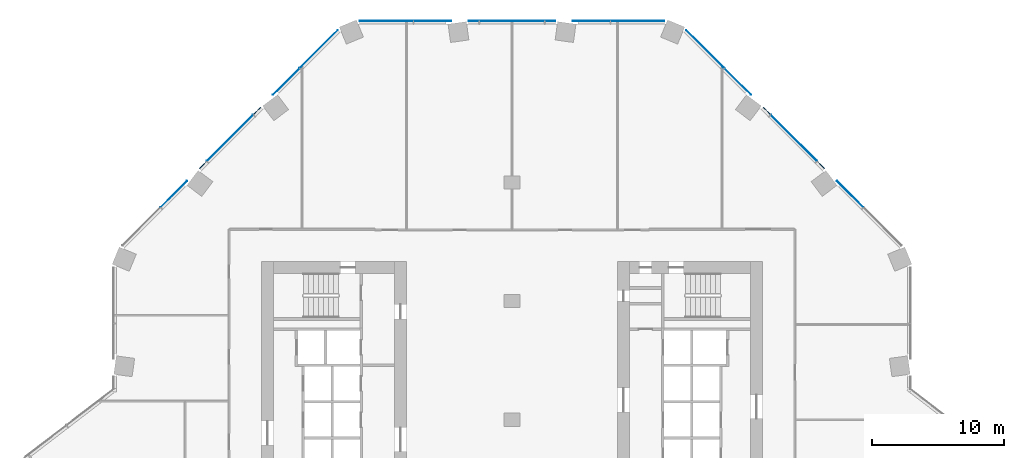
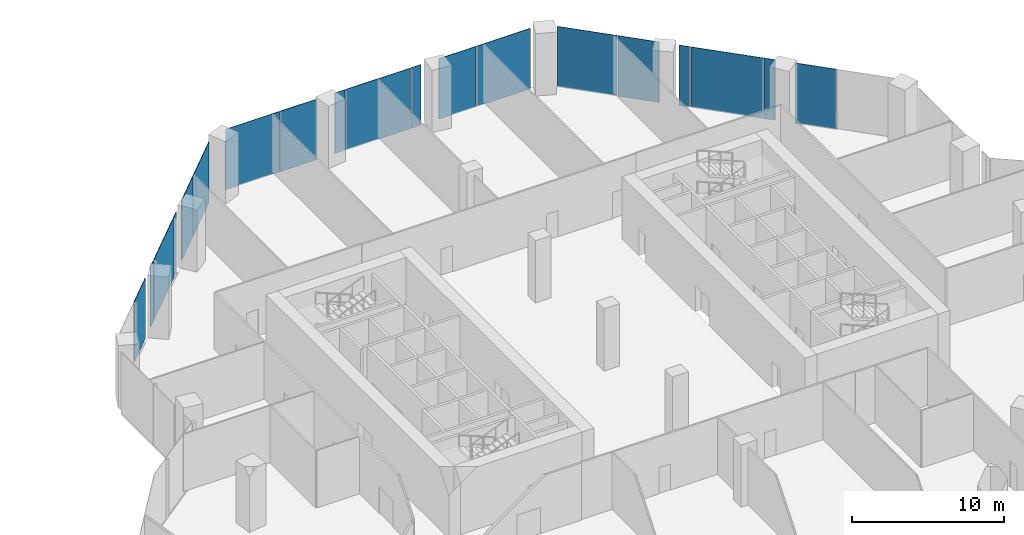
# One storey, part 20 of 29: 19 plates, 3 elements without a shape of their own.
"""IFC4 building model written with IfcOpenShell, lengths in metres."""

from ifc_helpers import new_model, si_unit, direction, frame, origin, origin_2d, place, context, subcontext, project, spatial, rectangle, extrude, material, layer, layer_set, type_object, element, aggregate, save


model = new_model("IFC4")

# Units and contexts
model_context = context("Model", 3, precision=1e-05, world=origin(), true_north=direction((0.0, 1.0)))
body_context = subcontext(model_context, "Body", "Model", "MODEL_VIEW")
ifc_project = project(units=[si_unit("LENGTHUNIT", "METRE"), si_unit("AREAUNIT", "SQUARE_METRE"), si_unit("VOLUMEUNIT", "CUBIC_METRE"), si_unit("PLANEANGLEUNIT", "RADIAN"), si_unit("MASSUNIT", "GRAM", prefix="KILO")], contexts=[model_context])

# Site, building, storey
site_placement = place(None, origin())
site = spatial("IfcSite", under=ifc_project, at=site_placement, CompositionType="ELEMENT")
building_placement = place(site_placement, origin())
building = spatial("IfcBuilding", under=site, at=building_placement, Name="Orlundy Tower", CompositionType="ELEMENT")
storey_placement = place(building_placement, frame((0.0, 0.0, 15.5)))
storey = spatial("IfcBuildingStorey", under=building, at=storey_placement, Name="L02", CompositionType="ELEMENT", Elevation=15.5)

# Curtain wall, plates
ifc_material_1 = material(Name="Aluminium bronze anodised", Category="aluminium")
curtain_wall_type = type_object("IfcCurtainWallType", Name="CW2 wall", PredefinedType="NOTDEFINED", material=ifc_material_1)
curtain_wall_1_placement = place(storey_placement, origin())
curtain_wall_1 = element("IfcCurtainWall", 1, at=curtain_wall_1_placement, inside=storey, type_object=curtain_wall_type, Name="CW2 run 014", PredefinedType="NOTDEFINED")
ifc_material_2 = material(Name="Tinted glass", Category="glass")
ifc_layer = layer(ifc_material_2, 0.0380859375)
ifc_layer_set = layer_set([ifc_layer], Name="CW2 glass panel 38")
plate_type = type_object("IfcPlateType", Name="CW2 glass panel 38", PredefinedType="CURTAIN_PANEL", material=ifc_layer_set)
plate_1_placement = place(storey_placement, frame((-25.63818359375, 17.114501953125, -0.25), z_axis=(0.0, 0.0, 1.0), x_axis=(0.707106781187, 0.707106781187, 0.0)))
plate_1 = element("IfcPlate", 2, at=plate_1_placement, type_object=plate_type, Name="CW2 panel", PredefinedType="CURTAIN_PANEL", context=body_context, shape_type="SweptSolid", body=[
    extrude(rectangle(XDim=2.807861328125, YDim=0.0380859375, at=origin_2d()), origin(), (0.0, 0.0, 1.0), 4.85009765625),
])
plate_2_placement = place(storey_placement, frame((-23.418212890625, 19.33447265625, -0.25), z_axis=(0.0, 0.0, 1.0), x_axis=(0.707106781187, 0.707106781187, 0.0)))
plate_2 = element("IfcPlate", 3, at=plate_2_placement, type_object=plate_type, Name="CW2 panel", PredefinedType="CURTAIN_PANEL", context=body_context, shape_type="SweptSolid", body=[
    extrude(rectangle(XDim=0.754638671875, YDim=0.0380859375, at=origin_2d()), origin(), (0.0, 0.0, 1.0), 4.85009765625),
])
plate_3_placement = place(storey_placement, frame((-21.376220703125, 21.376220703125, -0.25), z_axis=(0.0, 0.0, 1.0), x_axis=(0.707106781187, 0.707106781187, 0.0)))
plate_3 = element("IfcPlate", 4, at=plate_3_placement, type_object=plate_type, Name="CW2 panel", PredefinedType="CURTAIN_PANEL", context=body_context, shape_type="SweptSolid", body=[
    extrude(rectangle(XDim=4.920654296875, YDim=0.0380859375, at=origin_2d()), origin(), (0.0, 0.0, 1.0), 4.85009765625),
])
plate_4_placement = place(storey_placement, frame((-19.33447265625, 23.418212890625, -0.25), z_axis=(0.0, 0.0, 1.0), x_axis=(0.707106781187, 0.707106781187, 0.0)))
plate_4 = element("IfcPlate", 5, at=plate_4_placement, type_object=plate_type, Name="CW2 panel", PredefinedType="CURTAIN_PANEL", context=body_context, shape_type="SweptSolid", body=[
    extrude(rectangle(XDim=0.754638671875, YDim=0.0380859375, at=origin_2d()), origin(), (0.0, 0.0, 1.0), 4.85009765625),
])
plate_5_placement = place(storey_placement, frame((-17.114501953125, 25.63818359375, -0.25), z_axis=(0.0, 0.0, 1.0), x_axis=(0.707106781187, 0.707106781187, 0.0)))
plate_5 = element("IfcPlate", 6, at=plate_5_placement, type_object=plate_type, Name="CW2 panel", PredefinedType="CURTAIN_PANEL", context=body_context, shape_type="SweptSolid", body=[
    extrude(rectangle(XDim=2.807861328125, YDim=0.0380859375, at=origin_2d()), origin(), (0.0, 0.0, 1.0), 4.85009765625),
])
plate_6_placement = place(storey_placement, frame((-14.648681640625, 28.10400390625, -0.25), z_axis=(0.0, 0.0, 1.0), x_axis=(0.707106781187, 0.707106781187, 0.0)))
plate_6 = element("IfcPlate", 7, at=plate_6_placement, type_object=plate_type, Name="CW2 panel", PredefinedType="CURTAIN_PANEL", context=body_context, shape_type="SweptSolid", body=[
    extrude(rectangle(XDim=4.066650390625, YDim=0.0380859375, at=origin_2d()), origin(), (0.0, 0.0, 1.0), 4.85009765625),
])
aggregate(curtain_wall_1, [plate_1, plate_2, plate_3, plate_4, plate_5, plate_6])

curtain_wall_2_placement = place(storey_placement, origin())
curtain_wall_2 = element("IfcCurtainWall", 8, at=curtain_wall_2_placement, inside=storey, type_object=curtain_wall_type, Name="CW2 run 015", PredefinedType="NOTDEFINED")
plate_7_placement = place(storey_placement, frame((-9.514404296875, 30.23095703125, -0.25), z_axis=(0.0, 0.0, 1.0), x_axis=(1.0, 0.0, 0.0)))
plate_7 = element("IfcPlate", 9, at=plate_7_placement, type_object=plate_type, Name="CW2 panel", PredefinedType="CURTAIN_PANEL", context=body_context, shape_type="SweptSolid", body=[
    extrude(rectangle(XDim=4.0673828125, YDim=0.0380859375, at=origin_2d()), origin(), (0.0, 0.0, 1.0), 4.85009765625),
])
plate_8_placement = place(storey_placement, frame((-6.025634765625, 30.23095703125, -0.25), z_axis=(0.0, 0.0, 1.0), x_axis=(1.0, 0.0, 0.0)))
plate_8 = element("IfcPlate", 10, at=plate_8_placement, type_object=plate_type, Name="CW2 panel", PredefinedType="CURTAIN_PANEL", context=body_context, shape_type="SweptSolid", body=[
    extrude(rectangle(XDim=2.81005859375, YDim=0.0380859375, at=origin_2d()), origin(), (0.0, 0.0, 1.0), 4.85009765625),
])
plate_9_placement = place(storey_placement, frame((-2.8876953125, 30.23095703125, -0.25), z_axis=(0.0, 0.0, 1.0), x_axis=(1.0, 0.0, 0.0)))
plate_9 = element("IfcPlate", 11, at=plate_9_placement, type_object=plate_type, Name="CW2 panel", PredefinedType="CURTAIN_PANEL", context=body_context, shape_type="SweptSolid", body=[
    extrude(rectangle(XDim=0.7548828125, YDim=0.0380859375, at=origin_2d()), origin(), (0.0, 0.0, 1.0), 4.85009765625),
])
plate_10_placement = place(storey_placement, frame((0.0, 30.23095703125, -0.25), z_axis=(0.0, 0.0, 1.0), x_axis=(1.0, 0.0, 0.0)))
plate_10 = element("IfcPlate", 12, at=plate_10_placement, type_object=plate_type, Name="CW2 panel", PredefinedType="CURTAIN_PANEL", context=body_context, shape_type="SweptSolid", body=[
    extrude(rectangle(XDim=4.92041015625, YDim=0.0380859375, at=origin_2d()), origin(), (0.0, 0.0, 1.0), 4.85009765625),
])
plate_11_placement = place(storey_placement, frame((2.8876953125, 30.23095703125, -0.25), z_axis=(0.0, 0.0, 1.0), x_axis=(1.0, 0.0, 0.0)))
plate_11 = element("IfcPlate", 13, at=plate_11_placement, type_object=plate_type, Name="CW2 panel", PredefinedType="CURTAIN_PANEL", context=body_context, shape_type="SweptSolid", body=[
    extrude(rectangle(XDim=0.7548828125, YDim=0.0380859375, at=origin_2d()), origin(), (0.0, 0.0, 1.0), 4.85009765625),
])
plate_12_placement = place(storey_placement, frame((6.025634765625, 30.23095703125, -0.25), z_axis=(0.0, 0.0, 1.0), x_axis=(1.0, 0.0, 0.0)))
plate_12 = element("IfcPlate", 14, at=plate_12_placement, type_object=plate_type, Name="CW2 panel", PredefinedType="CURTAIN_PANEL", context=body_context, shape_type="SweptSolid", body=[
    extrude(rectangle(XDim=2.81005859375, YDim=0.0380859375, at=origin_2d()), origin(), (0.0, 0.0, 1.0), 4.85009765625),
])
plate_13_placement = place(storey_placement, frame((9.514404296875, 30.23095703125, -0.25), z_axis=(0.0, 0.0, 1.0), x_axis=(1.0, 0.0, 0.0)))
plate_13 = element("IfcPlate", 15, at=plate_13_placement, type_object=plate_type, Name="CW2 panel", PredefinedType="CURTAIN_PANEL", context=body_context, shape_type="SweptSolid", body=[
    extrude(rectangle(XDim=4.0673828125, YDim=0.0380859375, at=origin_2d()), origin(), (0.0, 0.0, 1.0), 4.85009765625),
])
aggregate(curtain_wall_2, [plate_7, plate_8, plate_9, plate_10, plate_11, plate_12, plate_13])

curtain_wall_3_placement = place(storey_placement, origin())
curtain_wall_3 = element("IfcCurtainWall", 16, at=curtain_wall_3_placement, inside=storey, type_object=curtain_wall_type, Name="CW2 run 016", PredefinedType="NOTDEFINED")
plate_14_placement = place(storey_placement, frame((14.648681640625, 28.10400390625, -0.25), z_axis=(0.0, 0.0, 1.0), x_axis=(0.707106781187, -0.707106781187, 0.0)))
plate_14 = element("IfcPlate", 17, at=plate_14_placement, type_object=plate_type, Name="CW2 panel", PredefinedType="CURTAIN_PANEL", context=body_context, shape_type="SweptSolid", body=[
    extrude(rectangle(XDim=4.066650390625, YDim=0.0380859375, at=origin_2d()), origin(), (0.0, 0.0, 1.0), 4.85009765625),
])
plate_15_placement = place(storey_placement, frame((17.114501953125, 25.63818359375, -0.25), z_axis=(0.0, 0.0, 1.0), x_axis=(0.707106781187, -0.707106781187, 0.0)))
plate_15 = element("IfcPlate", 18, at=plate_15_placement, type_object=plate_type, Name="CW2 panel", PredefinedType="CURTAIN_PANEL", context=body_context, shape_type="SweptSolid", body=[
    extrude(rectangle(XDim=2.807861328125, YDim=0.0380859375, at=origin_2d()), origin(), (0.0, 0.0, 1.0), 4.85009765625),
])
plate_16_placement = place(storey_placement, frame((19.33447265625, 23.418212890625, -0.25), z_axis=(0.0, 0.0, 1.0), x_axis=(0.707106781187, -0.707106781187, 0.0)))
plate_16 = element("IfcPlate", 19, at=plate_16_placement, type_object=plate_type, Name="CW2 panel", PredefinedType="CURTAIN_PANEL", context=body_context, shape_type="SweptSolid", body=[
    extrude(rectangle(XDim=0.754638671875, YDim=0.0380859375, at=origin_2d()), origin(), (0.0, 0.0, 1.0), 4.85009765625),
])
plate_17_placement = place(storey_placement, frame((21.376220703125, 21.376220703125, -0.25), z_axis=(0.0, 0.0, 1.0), x_axis=(0.707106781187, -0.707106781187, 0.0)))
plate_17 = element("IfcPlate", 20, at=plate_17_placement, type_object=plate_type, Name="CW2 panel", PredefinedType="CURTAIN_PANEL", context=body_context, shape_type="SweptSolid", body=[
    extrude(rectangle(XDim=4.920654296875, YDim=0.0380859375, at=origin_2d()), origin(), (0.0, 0.0, 1.0), 4.85009765625),
])
plate_18_placement = place(storey_placement, frame((23.418212890625, 19.33447265625, -0.25), z_axis=(0.0, 0.0, 1.0), x_axis=(0.707106781187, -0.707106781187, 0.0)))
plate_18 = element("IfcPlate", 21, at=plate_18_placement, type_object=plate_type, Name="CW2 panel", PredefinedType="CURTAIN_PANEL", context=body_context, shape_type="SweptSolid", body=[
    extrude(rectangle(XDim=0.754638671875, YDim=0.0380859375, at=origin_2d()), origin(), (0.0, 0.0, 1.0), 4.85009765625),
])
plate_19_placement = place(storey_placement, frame((25.63818359375, 17.114501953125, -0.25), z_axis=(0.0, 0.0, 1.0), x_axis=(0.707106781187, -0.707106781187, 0.0)))
plate_19 = element("IfcPlate", 22, at=plate_19_placement, type_object=plate_type, Name="CW2 panel", PredefinedType="CURTAIN_PANEL", context=body_context, shape_type="SweptSolid", body=[
    extrude(rectangle(XDim=2.807861328125, YDim=0.0380859375, at=origin_2d()), origin(), (0.0, 0.0, 1.0), 4.85009765625),
])
aggregate(curtain_wall_3, [plate_14, plate_15, plate_16, plate_17, plate_18, plate_19])

save(model, "model.ifc")
